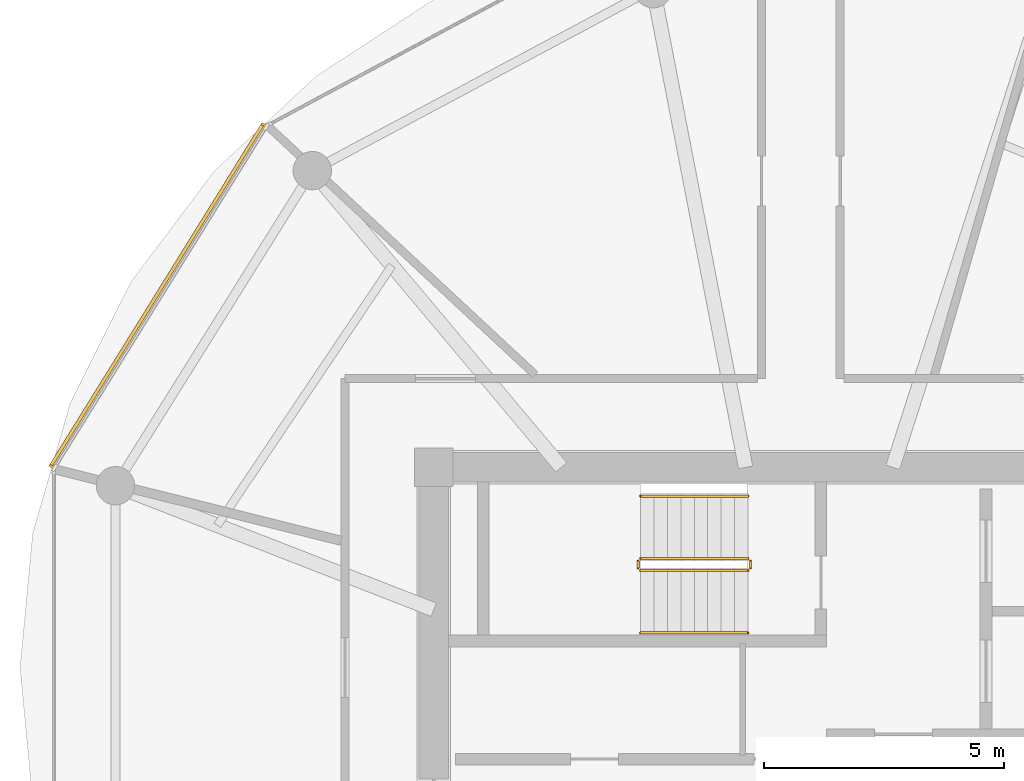
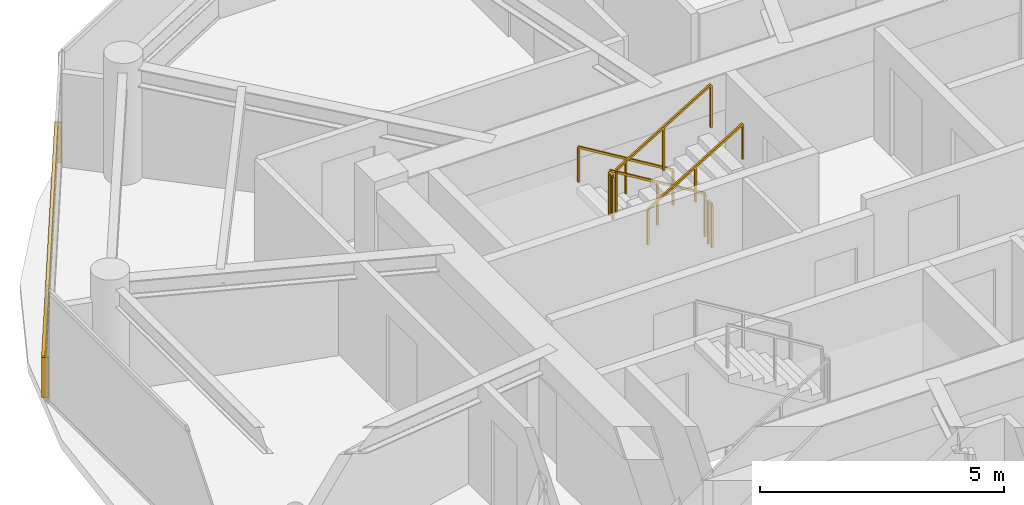
# One storey, part 20 of 22: 6 railings, 1 shading device.
"""IFC4 building model written with IfcOpenShell, lengths in metres."""

from ifc_helpers import new_model, si_unit, direction, frame, origin, origin_2d, place, context, subcontext, project, spatial, rectangle, extrude, source, transform, mapped, material, type_object, type_shapes, element, save


model = new_model("IFC4")

# Units and contexts
model_context = context("Model", 3, precision=1e-05, world=origin(), true_north=direction((0.0, 1.0)))
body_context = subcontext(model_context, "Body", "Model", "MODEL_VIEW")
ifc_project = project(units=[si_unit("LENGTHUNIT", "METRE"), si_unit("AREAUNIT", "SQUARE_METRE"), si_unit("VOLUMEUNIT", "CUBIC_METRE"), si_unit("PLANEANGLEUNIT", "RADIAN"), si_unit("MASSUNIT", "GRAM", prefix="KILO")], contexts=[model_context])

# Site, building, storey
site_placement = place(None, origin())
site = spatial("IfcSite", under=ifc_project, at=site_placement, CompositionType="ELEMENT")
building_placement = place(site_placement, origin())
building = spatial("IfcBuilding", under=site, at=building_placement, Name="Norrkilde Senior Care Towers", CompositionType="ELEMENT")
storey_placement = place(building_placement, frame((0.0, 0.0, 137.35009765625)))
storey = spatial("IfcBuildingStorey", under=building, at=storey_placement, Name="L42", CompositionType="ELEMENT", Elevation=137.35009765625)

# Railings
ifc_material_1 = material(Name="Stainless Steel", Category="steel")
railing_type_1 = type_object("IfcRailingType", Name="Stair and Terrace Guardrail 1100", PredefinedType="GUARDRAIL", material=ifc_material_1)
railing_1_placement = place(storey_placement, frame((-29.10009765625, 4.050048828125, 0.16943359375)))
element("IfcRailing", 1, at=railing_1_placement, inside=storey, type_object=railing_type_1, Name="L42 ST-W1 stair guard 1", PredefinedType="GUARDRAIL", context=body_context, shape_type="SweptSolid", body=[
    extrude(rectangle(XDim=0.048095703125, YDim=0.048095703125, at=origin_2d()), frame((0.0, 0.0, 1.076171875), z_axis=(-0.855553338991, 0.0, 0.51771467445), x_axis=(0.0, -1.0, 0.0)), (0.0, 0.0, 1.0), 2.6181640625),
    extrude(rectangle(XDim=0.0419921875, YDim=0.0419921875, at=origin_2d()), origin(), (0.0, 0.0, 1.0), 1.050048828125),
    extrude(rectangle(XDim=0.0419921875, YDim=0.0419921875, at=origin_2d()), frame((-1.1201171875, 0.0, 0.677734375)), (0.0, 0.0, 1.0), 1.050048828125),
    extrude(rectangle(XDim=0.0419921875, YDim=0.0419921875, at=origin_2d()), frame((-2.239990234375, 0.0, 1.35546875)), (0.0, 0.0, 1.0), 1.050048828125),
])
railing_2_placement = place(storey_placement, frame((-31.389892578125, 4.0, 1.52490234375)))
element("IfcRailing", 2, at=railing_2_placement, inside=storey, type_object=railing_type_1, Name="L42 ST-W1 stair guard 2", PredefinedType="GUARDRAIL", context=body_context, shape_type="SweptSolid", body=[
    extrude(rectangle(XDim=0.048095703125, YDim=0.048095703125, at=origin_2d()), frame((0.0, 0.0, 1.076171875), z_axis=(0.0, -1.0, 0.0), x_axis=(1.0, 0.0, 0.0)), (0.0, 0.0, 1.0), 0.14990234375),
    extrude(rectangle(XDim=0.0419921875, YDim=0.0419921875, at=origin_2d()), origin(), (0.0, 0.0, 1.0), 1.050048828125),
    extrude(rectangle(XDim=0.0419921875, YDim=0.0419921875, at=origin_2d()), frame((0.0, -0.14990234375, 0.0)), (0.0, 0.0, 1.0), 1.050048828125),
])
railing_3_placement = place(storey_placement, frame((-31.340087890625, 3.800048828125, 1.6943359375)))
element("IfcRailing", 3, at=railing_3_placement, inside=storey, type_object=railing_type_1, Name="L42 ST-W1 stair guard 3", PredefinedType="GUARDRAIL", context=body_context, shape_type="SweptSolid", body=[
    extrude(rectangle(XDim=0.048095703125, YDim=0.048095703125, at=origin_2d()), frame((0.0, 0.0, 1.076171875), z_axis=(0.855553338991, 0.0, 0.51771467445), x_axis=(0.0, 1.0, 0.0)), (0.0, 0.0, 1.0), 2.6181640625),
    extrude(rectangle(XDim=0.0419921875, YDim=0.0419921875, at=origin_2d()), origin(), (0.0, 0.0, 1.0), 1.050048828125),
    extrude(rectangle(XDim=0.0419921875, YDim=0.0419921875, at=origin_2d()), frame((1.1201171875, 0.0, 0.677734375)), (0.0, 0.0, 1.0), 1.050048828125),
    extrude(rectangle(XDim=0.0419921875, YDim=0.0419921875, at=origin_2d()), frame((2.239990234375, 0.0, 1.35546875)), (0.0, 0.0, 1.0), 1.050048828125),
])
railing_4_placement = place(storey_placement, frame((-29.050048828125, 4.0, 0.0)))
element("IfcRailing", 4, at=railing_4_placement, inside=storey, type_object=railing_type_1, Name="L42 ST-W1 stair guard 4", PredefinedType="GUARDRAIL", context=body_context, shape_type="SweptSolid", body=[
    extrude(rectangle(XDim=0.048095703125, YDim=0.048095703125, at=origin_2d()), frame((0.0, 0.0, 1.076171875), z_axis=(0.0, -1.0, 0.0), x_axis=(1.0, 0.0, 0.0)), (0.0, 0.0, 1.0), 0.14990234375),
    extrude(rectangle(XDim=0.0419921875, YDim=0.0419921875, at=origin_2d()), origin(), (0.0, 0.0, 1.0), 1.050048828125),
    extrude(rectangle(XDim=0.0419921875, YDim=0.0419921875, at=origin_2d()), frame((0.0, -0.14990234375, 0.0)), (0.0, 0.0, 1.0), 1.050048828125),
])
ifc_material_2 = material(Name="Nordic Ash Timber", Category="wood")
railing_type_2 = type_object("IfcRailingType", Name="Wall and Stair Handrail 900", PredefinedType="HANDRAIL", material=ifc_material_2)
railing_5_placement = place(storey_placement, frame((-29.10009765625, 5.35009765625, 0.16943359375)))
element("IfcRailing", 5, at=railing_5_placement, inside=storey, type_object=railing_type_2, Name="L42 ST-W1 stair handrail 1", PredefinedType="HANDRAIL", context=body_context, shape_type="SweptSolid", body=[
    extrude(rectangle(XDim=0.048095703125, YDim=0.048095703125, at=origin_2d()), frame((0.0, 0.0, 0.8759765625), z_axis=(-0.855553338991, 0.0, 0.51771467445), x_axis=(0.0, -1.0, 0.0)), (0.0, 0.0, 1.0), 2.6181640625),
    extrude(rectangle(XDim=0.0419921875, YDim=0.0419921875, at=origin_2d()), origin(), (0.0, 0.0, 1.0), 0.849853515625),
    extrude(rectangle(XDim=0.0419921875, YDim=0.0419921875, at=origin_2d()), frame((-1.1201171875, 0.0, 0.677734375)), (0.0, 0.0, 1.0), 0.849853515625),
    extrude(rectangle(XDim=0.0419921875, YDim=0.0419921875, at=origin_2d()), frame((-2.239990234375, 0.0, 1.35546875)), (0.0, 0.0, 1.0), 0.849853515625),
])
railing_6_placement = place(storey_placement, frame((-31.340087890625, 2.5, 1.6943359375)))
element("IfcRailing", 6, at=railing_6_placement, inside=storey, type_object=railing_type_2, Name="L42 ST-W1 stair handrail 2", PredefinedType="HANDRAIL", context=body_context, shape_type="SweptSolid", body=[
    extrude(rectangle(XDim=0.048095703125, YDim=0.048095703125, at=origin_2d()), frame((0.0, 0.0, 0.8759765625), z_axis=(0.855553338991, 0.0, 0.51771467445), x_axis=(0.0, 1.0, 0.0)), (0.0, 0.0, 1.0), 2.6181640625),
    extrude(rectangle(XDim=0.0419921875, YDim=0.0419921875, at=origin_2d()), origin(), (0.0, 0.0, 1.0), 0.849853515625),
    extrude(rectangle(XDim=0.0419921875, YDim=0.0419921875, at=origin_2d()), frame((1.1201171875, 0.0, 0.677734375)), (0.0, 0.0, 1.0), 0.849853515625),
    extrude(rectangle(XDim=0.0419921875, YDim=0.0419921875, at=origin_2d()), frame((2.239990234375, 0.0, 1.35546875)), (0.0, 0.0, 1.0), 0.849853515625),
])

# Shading device
ifc_material_3 = material(Name="Architectural Terracotta", Category="masonry")
shading_device_type = type_object("IfcShadingDeviceType", Name="Horizontal Terracotta Baguette Rack", PredefinedType="USERDEFINED", material=ifc_material_3)
shared_shape = source(origin(), body_context, "Body", "SweptSolid", [
    extrude(rectangle(XDim=0.070068359375, YDim=0.110107421875, at=origin_2d()), frame((0.0, 0.090087890625, 0.125), z_axis=(1.0, 0.0, 0.0), x_axis=(0.0, 1.0, 0.0)), (0.0, 0.0, 1.0), 8.431396484375),
    extrude(rectangle(XDim=0.070068359375, YDim=0.110107421875, at=origin_2d()), frame((0.0, 0.090087890625, 0.375), z_axis=(1.0, 0.0, 0.0), x_axis=(0.0, 1.0, 0.0)), (0.0, 0.0, 1.0), 8.431396484375),
    extrude(rectangle(XDim=0.070068359375, YDim=0.110107421875, at=origin_2d()), frame((0.0, 0.090087890625, 0.625), z_axis=(1.0, 0.0, 0.0), x_axis=(0.0, 1.0, 0.0)), (0.0, 0.0, 1.0), 8.431396484375),
    extrude(rectangle(XDim=0.070068359375, YDim=0.110107421875, at=origin_2d()), frame((0.0, 0.090087890625, 0.875), z_axis=(1.0, 0.0, 0.0), x_axis=(0.0, 1.0, 0.0)), (0.0, 0.0, 1.0), 8.431396484375),
    extrude(rectangle(XDim=0.050048828125, YDim=0.1552734375, at=origin_2d()), frame((0.02490234375, 0.047607421875, 0.0)), (0.0, 0.0, 1.0), 1.0),
    extrude(rectangle(XDim=0.050048828125, YDim=0.1552734375, at=origin_2d()), frame((8.40625, 0.047607421875, 0.0)), (0.0, 0.0, 1.0), 1.0),
])
type_shapes(shading_device_type, [shared_shape])
shading_device_placement = place(storey_placement, frame((-43.569580078125, 5.911376953125, 0.079833984375), z_axis=(0.0, 0.0, 1.0), x_axis=(0.527378022296, 0.849630809324, 0.0)))
element("IfcShadingDevice", 7, at=shading_device_placement, inside=storey, type_object=shading_device_type, Name="L42 Drum W Terracotta Baguette Screen 04", ObjectType="BAGUETTE", PredefinedType="USERDEFINED", context=body_context, shape_type="MappedRepresentation", body=[
    mapped(shared_shape, transform((0.0, 0.0, 0.0), x_axis=(1.0, 0.0, 0.0), y_axis=(0.0, 1.0, 0.0), z_axis=(0.0, 0.0, 1.0), scale=1.0)),
])

save(model, "model.ifc")
